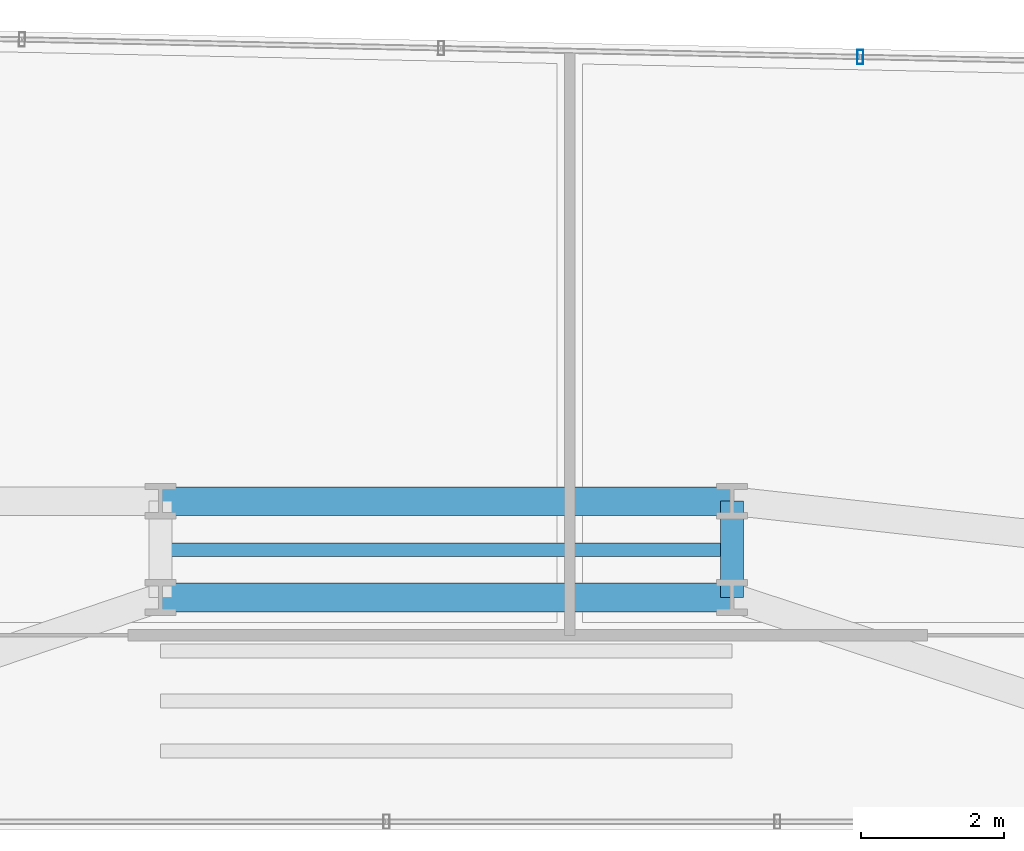
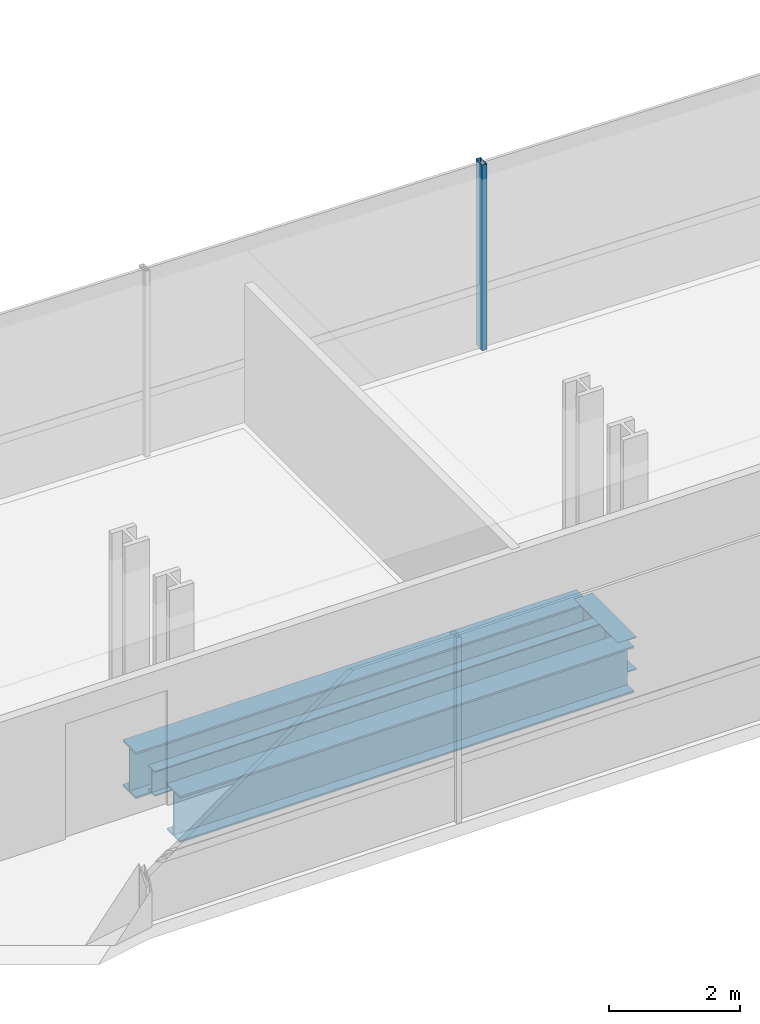
# One storey, part 22 of 40: 4 beams, 1 member, 1 element without a shape of its own.
"""IFC4 building model written with IfcOpenShell, lengths in metres."""

from ifc_helpers import new_model, si_unit, direction, frame, origin, origin_2d, place, context, subcontext, project, spatial, hollow_rectangle, i_section, extrude, source, transform, mapped, material, material_profile, profile_set, type_object, element, aggregate, save


model = new_model("IFC4")

# Units and contexts
model_context = context("Model", 3, precision=1e-05, world=origin(), true_north=direction((0.0, 1.0)))
body_context = subcontext(model_context, "Body", "Model", "MODEL_VIEW")
ifc_project = project(units=[si_unit("LENGTHUNIT", "METRE"), si_unit("AREAUNIT", "SQUARE_METRE"), si_unit("VOLUMEUNIT", "CUBIC_METRE"), si_unit("PLANEANGLEUNIT", "RADIAN"), si_unit("MASSUNIT", "GRAM", prefix="KILO")], contexts=[model_context])

# Site, building, storey
site_placement = place(None, origin())
site = spatial("IfcSite", under=ifc_project, at=site_placement, CompositionType="ELEMENT")
building_placement = place(site_placement, origin())
building = spatial("IfcBuilding", under=site, at=building_placement, Name="Valdorenza Pilgrim Sanctuary Tower", CompositionType="ELEMENT")
storey_placement = place(building_placement, frame((0.0, 0.0, 51.89990234375)))
storey = spatial("IfcBuildingStorey", under=building, at=storey_placement, Name="L12", CompositionType="ELEMENT", Elevation=51.89990234375)

# Beams
ifc_material_1 = material(Name="Steel ASTM A992 Grade 50", Category="steel")
ifc_material_profile_1 = material_profile(ifc_material_1, i_section(OverallWidth=0.39990234375, OverallDepth=0.862060546875, WebThickness=0.019775390625, FlangeThickness=0.032470703125, at=origin_2d()), Name="W33X221")
ifc_profile_set_1 = profile_set([ifc_material_profile_1], Name="Steel ASTM A992 Grade 50")
beam_type_1 = type_object("IfcBeamType", Name="STR-BM-GRD-W33", PredefinedType="BEAM", material=ifc_profile_set_1)
shared_shape_1 = source(origin(), body_context, "Body", "SweptSolid", [
    extrude(i_section(OverallWidth=0.39990234375, OverallDepth=0.862060546875, WebThickness=0.019775390625, FlangeThickness=0.032470703125, at=origin_2d()), origin(), (0.0, 0.0, 1.0), 8.0),
])
for number, where, z_axis, x_axis, name in (
    (1, (-4.0, 13.449951171875, -0.6708984375), (1.0, 0.0, 0.0), (0.0, 1.0, 0.0), "L12 Floor Girder KNK-G2"),
    (2, (-4.0, 14.800048828125, -0.6708984375), (1.0, 0.0, 0.0), (0.0, 1.0, 0.0), "L12 Floor Girder KNK-G5"),
):
    element("IfcBeam", number, at=place(storey_placement, frame(where, z_axis=z_axis, x_axis=x_axis)), inside=storey, type_object=beam_type_1, Name=name, PredefinedType="BEAM", context=body_context, shape_type="MappedRepresentation", body=[
        mapped(shared_shape_1, transform((0.0, 0.0, 0.0), x_axis=(1.0, 0.0, 0.0), y_axis=(0.0, 1.0, 0.0), z_axis=(0.0, 0.0, 1.0), scale=1.0)),
    ])
ifc_material_profile_2 = material_profile(ifc_material_1, i_section(OverallWidth=0.323974609375, OverallDepth=0.611083984375, WebThickness=0.0126953125, FlangeThickness=0.01904296875, at=origin_2d()), Name="W24X104")
ifc_profile_set_2 = profile_set([ifc_material_profile_2], Name="Steel ASTM A992 Grade 50")
beam_type_2 = type_object("IfcBeamType", Name="STR-BM-GRD-W24B", PredefinedType="BEAM", material=ifc_profile_set_2)
shared_shape_2 = source(origin(), body_context, "Body", "SweptSolid", [
    extrude(i_section(OverallWidth=0.323974609375, OverallDepth=0.611083984375, WebThickness=0.0126953125, FlangeThickness=0.01904296875, at=origin_2d()), origin(), (0.0, 0.0, 1.0), 1.35009765625),
])
beam_1_placement = place(storey_placement, frame((4.0, 13.449951171875, -0.54541015625), z_axis=(0.0, 1.0, 0.0), x_axis=(-1.0, 0.0, 0.0)))
element("IfcBeam", 3, at=beam_1_placement, inside=storey, type_object=beam_type_2, Name="L12 Floor Girder KNK-TIE-E", PredefinedType="BEAM", context=body_context, shape_type="MappedRepresentation", body=[
    mapped(shared_shape_2, transform((0.0, 0.0, 0.0), x_axis=(1.0, 0.0, 0.0), y_axis=(0.0, 1.0, 0.0), z_axis=(0.0, 0.0, 1.0), scale=1.0)),
])
ifc_material_profile_3 = material_profile(ifc_material_1, i_section(OverallWidth=0.193115234375, OverallDepth=0.466064453125, WebThickness=0.011474609375, FlangeThickness=0.01904296875, at=origin_2d()), Name="W18X65")
ifc_profile_set_3 = profile_set([ifc_material_profile_3], Name="Steel ASTM A992 Grade 50")
beam_type_3 = type_object("IfcBeamType", Name="STR-BM-JST-W18A", PredefinedType="JOIST", material=ifc_profile_set_3)
shared_shape_3 = source(origin(), body_context, "Body", "SweptSolid", [
    extrude(i_section(OverallWidth=0.193115234375, OverallDepth=0.466064453125, WebThickness=0.011474609375, FlangeThickness=0.01904296875, at=origin_2d()), origin(), (0.0, 0.0, 1.0), 8.0),
])
beam_2_placement = place(storey_placement, frame((-4.0, 14.1201171875, -0.472900390625), z_axis=(1.0, 0.0, 0.0), x_axis=(0.0, 1.0, 0.0)))
element("IfcBeam", 4, at=beam_2_placement, inside=storey, type_object=beam_type_3, Name="L12 Knuckle Composite Joist JST-KNK-4", PredefinedType="JOIST", context=body_context, shape_type="MappedRepresentation", body=[
    mapped(shared_shape_3, transform((0.0, 0.0, 0.0), x_axis=(1.0, 0.0, 0.0), y_axis=(0.0, 1.0, 0.0), z_axis=(0.0, 0.0, 1.0), scale=1.0)),
])

# Curtain wall, member
ifc_material_2 = material(Name="Curtain-wall IGU glazing", Category="glass")
curtain_wall_type = type_object("IfcCurtainWallType", Name="CW-SYS-02", PredefinedType="NOTDEFINED", material=ifc_material_2)
curtain_wall_placement = place(storey_placement, origin())
curtain_wall = element("IfcCurtainWall", 5, at=curtain_wall_placement, inside=storey, type_object=curtain_wall_type, Name="L12 Curtain Wall CW-L12-1-11", PredefinedType="NOTDEFINED")
ifc_material_3 = material(Name="Anodised aluminium AW-6060", Category="aluminium")
ifc_material_profile_4 = material_profile(ifc_material_3, hollow_rectangle(XDim=0.0849609375, YDim=0.199951171875, WallThickness=0.0048828125, at=origin_2d()), Name="ALU-M 200x85x5")
ifc_profile_set_4 = profile_set([ifc_material_profile_4], Name="Anodised aluminium AW-6060")
member_type = type_object("IfcMemberType", Name="CW-MUL-02", PredefinedType="MULLION", material=ifc_profile_set_4)
shared_shape_4 = source(origin(), body_context, "Body", "SweptSolid", [
    extrude(hollow_rectangle(XDim=0.0849609375, YDim=0.199951171875, WallThickness=0.0048828125, at=origin_2d()), origin(), (0.0, 0.0, 1.0), 3.460205078125),
])
member_placement = place(storey_placement, frame((5.797119140625, 21.019287109375, 0.0), z_axis=(0.0, 0.0, 1.0), x_axis=(0.999783234613, -0.020820273474, 0.0)))
member = element("IfcMember", 6, at=member_placement, type_object=member_type, Name="CW-L12-1-11 Mullion 4", PredefinedType="MULLION", context=body_context, shape_type="MappedRepresentation", body=[
    mapped(shared_shape_4, transform((0.0, 0.0, 0.0), x_axis=(1.0, 0.0, 0.0), y_axis=(0.0, 1.0, 0.0), z_axis=(0.0, 0.0, 1.0), scale=1.0)),
])
aggregate(curtain_wall, [member])

save(model, "model.ifc")
